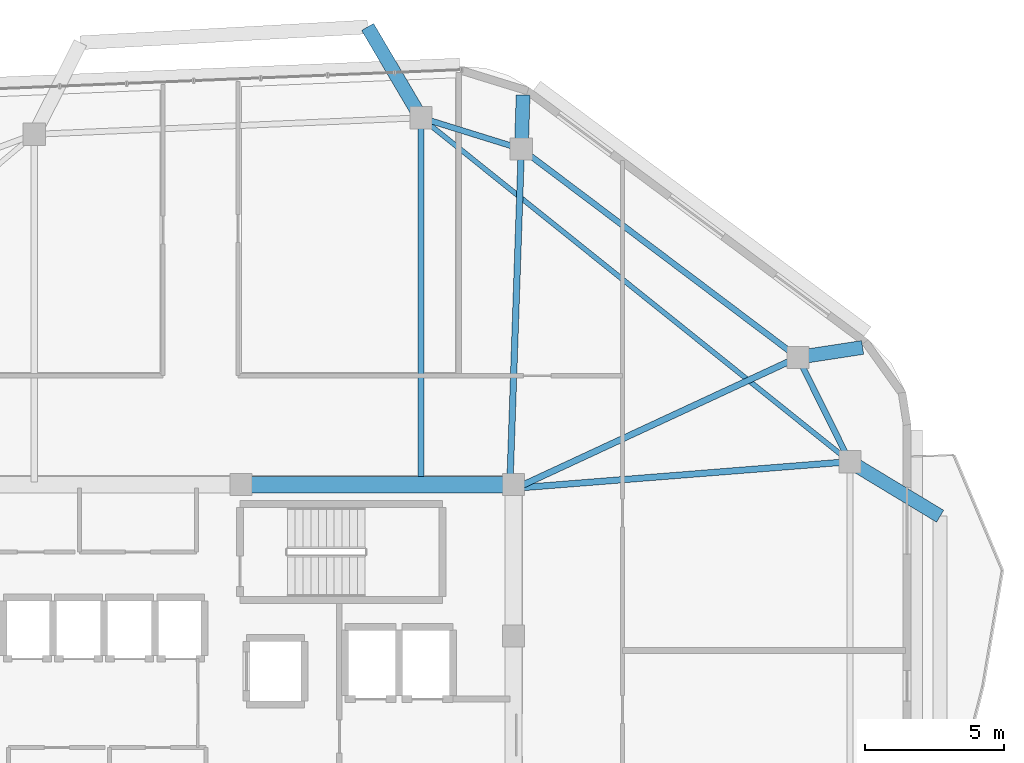
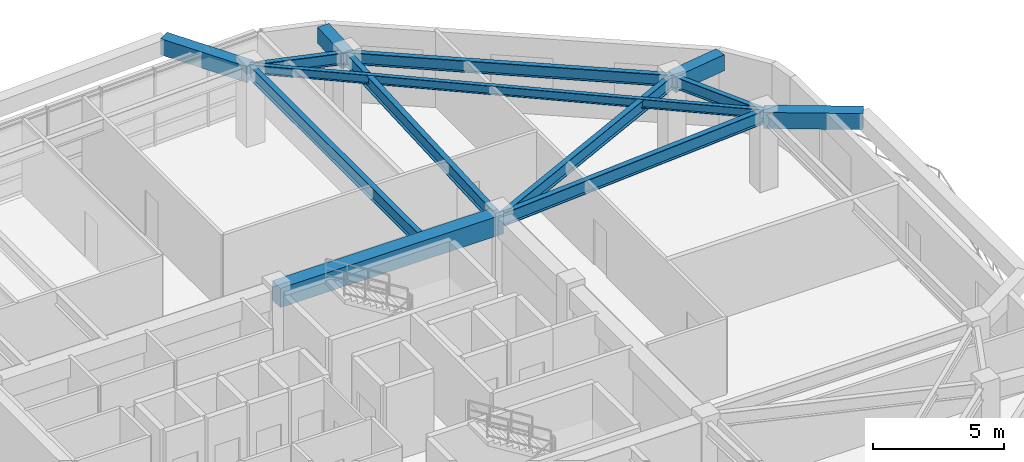
# One storey, part 3 of 12: 13 beams.
"""IFC4 building model written with IfcOpenShell, lengths in metres."""

from ifc_helpers import new_model, si_unit, direction, frame, origin, origin_2d, place, context, subcontext, project, spatial, rectangle, i_section, extrude, material, material_profile, profile_set, type_object, element, save


model = new_model("IFC4")

# Units and contexts
model_context = context("Model", 3, precision=1e-05, world=origin(), true_north=direction((0.0, 1.0)))
body_context = subcontext(model_context, "Body", "Model", "MODEL_VIEW")
ifc_project = project(units=[si_unit("LENGTHUNIT", "METRE"), si_unit("AREAUNIT", "SQUARE_METRE"), si_unit("VOLUMEUNIT", "CUBIC_METRE"), si_unit("PLANEANGLEUNIT", "RADIAN"), si_unit("MASSUNIT", "GRAM", prefix="KILO")], contexts=[model_context])

# Site, building, storey
site_placement = place(None, origin())
site = spatial("IfcSite", under=ifc_project, at=site_placement, CompositionType="ELEMENT")
building_placement = place(site_placement, origin())
building = spatial("IfcBuilding", under=site, at=building_placement, Name="Zulverin Broadcast Headquarters", CompositionType="ELEMENT")
storey_placement = place(building_placement, frame((0.0, 0.0, 293.39990234375)))
storey = spatial("IfcBuildingStorey", under=building, at=storey_placement, Name="L75", CompositionType="ELEMENT", Elevation=293.39990234375)

# Beams
ifc_material_1 = material(Name="Concrete C60/75", Category="concrete")
ifc_material_profile_1 = material_profile(ifc_material_1, rectangle(XDim=0.60009765625, YDim=0.89990234375, at=origin_2d()), Name="Concrete C60/75", Category="concrete")
ifc_profile_set_1 = profile_set([ifc_material_profile_1], Name="Concrete C60/75")
beam_type_1 = type_object("IfcBeamType", Name="BM-CB-600x900", PredefinedType="LINTEL", material=ifc_profile_set_1)
beam_1_placement = place(storey_placement, frame((48.27490234375, 33.074951171875, 3.090087890625), z_axis=(-1.0, 0.0, 0.0), x_axis=(0.0, -1.0, 0.0)))
element("IfcBeam", 1, at=beam_1_placement, inside=storey, type_object=beam_type_1, Name="L75 Core Coupling Girder K05-K06", PredefinedType="LINTEL", context=body_context, shape_type="SweptSolid", body=[
    extrude(rectangle(XDim=0.60009765625, YDim=0.89990234375, at=origin_2d()), origin(), (0.0, 0.0, 1.0), 9.824951171875),
])
ifc_material_2 = material(Name="Concrete C40/50", Category="concrete")
ifc_material_profile_2 = material_profile(ifc_material_2, rectangle(XDim=0.5, YDim=0.75, at=origin_2d()), Name="Concrete C40/50", Category="concrete")
ifc_profile_set_2 = profile_set([ifc_material_profile_2], Name="Concrete C40/50")
beam_type_2 = type_object("IfcBeamType", Name="BM-RC-500x750", PredefinedType="BEAM", material=ifc_profile_set_2)
beam_2_placement = place(storey_placement, frame((58.52587890625, 37.661865234375, 3.1650390625), z_axis=(0.988495750069, 0.151248643286, 0.0), x_axis=(-0.151248643286, 0.988495750069, 0.0)))
element("IfcBeam", 2, at=beam_2_placement, inside=storey, type_object=beam_type_2, Name="L76 Plate Overhang Back-Spanned Beam OVR-07", PredefinedType="BEAM", context=body_context, shape_type="SweptSolid", body=[
    extrude(rectangle(XDim=0.5, YDim=0.75, at=origin_2d()), origin(), (0.0, 0.0, 1.0), 2.35986328125),
])
beam_3_placement = place(storey_placement, frame((48.55908203125, 45.172607421875, 3.1650390625), z_axis=(0.032637714701, 0.999467247877, 0.0), x_axis=(-0.999467247877, 0.032637714701, 0.0)))
element("IfcBeam", 3, at=beam_3_placement, inside=storey, type_object=beam_type_2, Name="L76 Plate Overhang Back-Spanned Beam OVR-08", PredefinedType="BEAM", context=body_context, shape_type="SweptSolid", body=[
    extrude(rectangle(XDim=0.5, YDim=0.75, at=origin_2d()), origin(), (0.0, 0.0, 1.0), 1.94482421875),
])
for number, where, z_axis, x_axis, name in (
    (4, (60.39990234375, 33.903076171875, 3.1650390625), (0.855759105742, -0.517374480371, 0.0), (0.517374480371, 0.855759105742, 0.0), "L76 Balcony Column-Framed Cantilever BAL_E-2"),
    (5, (44.944580078125, 46.296630859375, 3.1650390625), (-0.507354203034, 0.861737612422, 0.0), (-0.861737612422, -0.507354203034, 0.0), "L76 Balcony Column-Framed Cantilever BAL_N-1"),
):
    element("IfcBeam", number, at=place(storey_placement, frame(where, z_axis=z_axis, x_axis=x_axis)), inside=storey, type_object=beam_type_2, Name=name, PredefinedType="BEAM", context=body_context, shape_type="SweptSolid", body=[
        extrude(rectangle(XDim=0.5, YDim=0.75, at=origin_2d()), origin(), (0.0, 0.0, 1.0), 3.800048828125),
    ])
ifc_material_3 = material(Name="Structural steel S355JR", Category="steel")
ifc_material_profile_3 = material_profile(ifc_material_3, i_section(OverallWidth=0.179443359375, OverallDepth=0.412841796875, WebThickness=0.009521484375, FlangeThickness=0.01611328125, at=origin_2d()), Name="Structural steel S355JR", Category="steel")
ifc_profile_set_3 = profile_set([ifc_material_profile_3], Name="Structural steel S355JR")
beam_type_3 = type_object("IfcBeamType", Name="BM-UB-406", PredefinedType="JOIST", material=ifc_profile_set_3)
beam_4_placement = place(storey_placement, frame((60.39990234375, 33.903076171875, 3.333740234375), z_axis=(-0.78014690603, 0.625596359493, 0.0), x_axis=(-0.625596359493, -0.78014690603, 0.0)))
element("IfcBeam", 6, at=beam_4_placement, inside=storey, type_object=beam_type_3, Name="L75 Chordal Floor Joist J-02", PredefinedType="JOIST", context=body_context, shape_type="SweptSolid", body=[
    extrude(i_section(OverallWidth=0.179443359375, OverallDepth=0.412841796875, WebThickness=0.009521484375, FlangeThickness=0.01611328125, at=origin_2d()), origin(), (0.0, 0.0, 1.0), 19.810791015625),
])
ifc_material_profile_4 = material_profile(ifc_material_3, i_section(OverallWidth=0.2119140625, OverallDepth=0.54443359375, WebThickness=0.0126953125, FlangeThickness=0.021240234375, at=origin_2d()), Name="Structural steel S355JR", Category="steel")
ifc_profile_set_4 = profile_set([ifc_material_profile_4], Name="Structural steel S355JR")
beam_type_4 = type_object("IfcBeamType", Name="BM-UB-533", PredefinedType="SPANDREL", material=ifc_profile_set_4)
beam_5_placement = place(storey_placement, frame((60.39990234375, 33.903076171875, 3.267822265625), z_axis=(-0.446190250792, 0.894938131995, 0.0), x_axis=(-0.894938131995, -0.446190250792, 0.0)))
element("IfcBeam", 7, at=beam_5_placement, inside=storey, type_object=beam_type_4, Name="L75 Perimeter Spandrel Beam SP-06", PredefinedType="SPANDREL", context=body_context, shape_type="SweptSolid", body=[
    extrude(i_section(OverallWidth=0.2119140625, OverallDepth=0.54443359375, WebThickness=0.0126953125, FlangeThickness=0.021240234375, at=origin_2d()), origin(), (0.0, 0.0, 1.0), 4.199951171875),
])
beam_6_placement = place(storey_placement, frame((58.52587890625, 37.661865234375, 3.267822265625), z_axis=(-0.798626958847, 0.60182637081, 0.0), x_axis=(-0.60182637081, -0.798626958847, 0.0)))
element("IfcBeam", 8, at=beam_6_placement, inside=storey, type_object=beam_type_4, Name="L75 Perimeter Spandrel Beam SP-07", PredefinedType="SPANDREL", context=body_context, shape_type="SweptSolid", body=[
    extrude(i_section(OverallWidth=0.2119140625, OverallDepth=0.54443359375, WebThickness=0.0126953125, FlangeThickness=0.021240234375, at=origin_2d()), origin(), (0.0, 0.0, 1.0), 12.47998046875),
])
beam_7_placement = place(storey_placement, frame((48.55908203125, 45.172607421875, 3.267822265625), z_axis=(-0.954893359596, 0.296948938033, 0.0), x_axis=(-0.296948938033, -0.954893359596, 0.0)))
element("IfcBeam", 9, at=beam_7_placement, inside=storey, type_object=beam_type_4, Name="L75 Perimeter Spandrel Beam SP-08", PredefinedType="SPANDREL", context=body_context, shape_type="SweptSolid", body=[
    extrude(i_section(OverallWidth=0.2119140625, OverallDepth=0.54443359375, WebThickness=0.0126953125, FlangeThickness=0.021240234375, at=origin_2d()), origin(), (0.0, 0.0, 1.0), 3.78515625),
])
ifc_material_profile_5 = material_profile(ifc_material_3, i_section(OverallWidth=0.230224609375, OverallDepth=0.6171875, WebThickness=0.01318359375, FlangeThickness=0.022216796875, at=origin_2d()), Name="Structural steel S355JR", Category="steel")
ifc_profile_set_5 = profile_set([ifc_material_profile_5], Name="Structural steel S355JR")
beam_type_5 = type_object("IfcBeamType", Name="BM-UB-610", PredefinedType="BEAM", material=ifc_profile_set_5)
beam_8_placement = place(storey_placement, frame((48.375, 32.949951171875, 3.2314453125), z_axis=(0.996873444671, 0.079014779064, 0.0), x_axis=(-0.079014779064, 0.996873444671, 0.0)))
element("IfcBeam", 10, at=beam_8_placement, inside=storey, type_object=beam_type_5, Name="L75 Radial Primary Floor Beam RB-06", PredefinedType="BEAM", context=body_context, shape_type="SweptSolid", body=[
    extrude(i_section(OverallWidth=0.230224609375, OverallDepth=0.6171875, WebThickness=0.01318359375, FlangeThickness=0.022216796875, at=origin_2d()), origin(), (0.0, 0.0, 1.0), 12.0625),
])
beam_9_placement = place(storey_placement, frame((48.375, 32.949951171875, 3.2314453125), z_axis=(0.90704288978, 0.421038235912, 0.0), x_axis=(-0.421038235912, 0.90704288978, 0.0)))
element("IfcBeam", 11, at=beam_9_placement, inside=storey, type_object=beam_type_5, Name="L75 Radial Primary Floor Beam RB-07", PredefinedType="BEAM", context=body_context, shape_type="SweptSolid", body=[
    extrude(i_section(OverallWidth=0.230224609375, OverallDepth=0.6171875, WebThickness=0.01318359375, FlangeThickness=0.022216796875, at=origin_2d()), origin(), (0.0, 0.0, 1.0), 11.191162109375),
])
beam_10_placement = place(storey_placement, frame((48.14990234375, 33.175048828125, 3.2314453125), z_axis=(0.034085428247, 0.999418922965, 0.0), x_axis=(-0.999418922965, 0.034085428247, 0.0)))
element("IfcBeam", 12, at=beam_10_placement, inside=storey, type_object=beam_type_5, Name="L75 Radial Primary Floor Beam RB-08", PredefinedType="BEAM", context=body_context, shape_type="SweptSolid", body=[
    extrude(i_section(OverallWidth=0.230224609375, OverallDepth=0.6171875, WebThickness=0.01318359375, FlangeThickness=0.022216796875, at=origin_2d()), origin(), (0.0, 0.0, 1.0), 12.004638671875),
])
beam_11_placement = place(storey_placement, frame((44.944580078125, 33.175048828125, 3.2314453125), z_axis=(0.0, 1.0, 0.0), x_axis=(-1.0, 0.0, 0.0)))
element("IfcBeam", 13, at=beam_11_placement, inside=storey, type_object=beam_type_5, Name="L75 Radial Primary Floor Beam RB-09", PredefinedType="BEAM", context=body_context, shape_type="SweptSolid", body=[
    extrude(i_section(OverallWidth=0.230224609375, OverallDepth=0.6171875, WebThickness=0.01318359375, FlangeThickness=0.022216796875, at=origin_2d()), origin(), (0.0, 0.0, 1.0), 13.12158203125),
])

save(model, "model.ifc")
